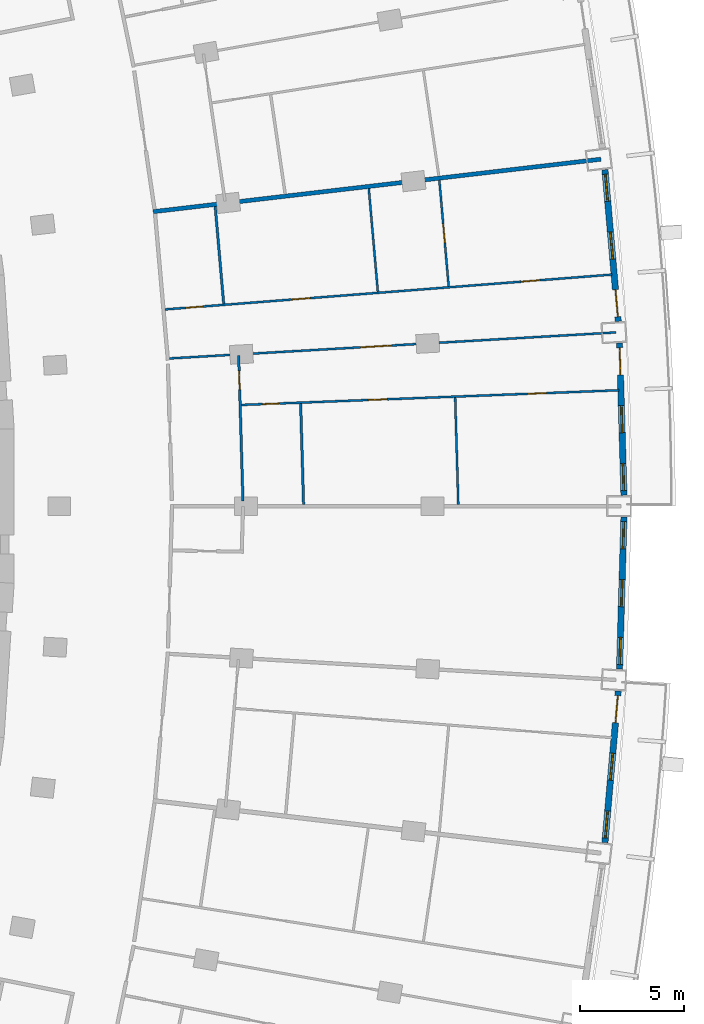
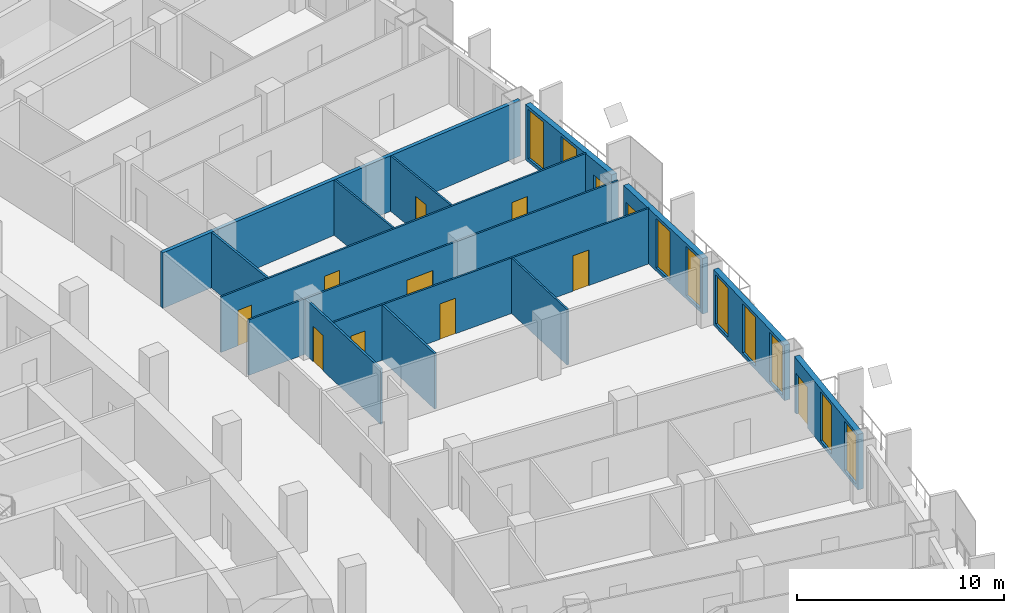
# One storey, part 18 of 25: 14 walls, 12 doors, 9 windows, 21 openings.
"""IFC4 building model written with IfcOpenShell, lengths in metres."""

from ifc_helpers import new_model, si_unit, direction, frame, frame_2d, origin, place, context, subcontext, project, spatial, rectangle, extrude, material, layer, layer_set, type_object, element, fill, save


model = new_model("IFC4")

# Units and contexts
model_context = context("Model", 3, precision=1e-05, world=origin(), true_north=direction((0.0, 1.0)))
body_context = subcontext(model_context, "Body", "Model", "MODEL_VIEW")
ifc_project = project(units=[si_unit("LENGTHUNIT", "METRE"), si_unit("AREAUNIT", "SQUARE_METRE"), si_unit("VOLUMEUNIT", "CUBIC_METRE"), si_unit("PLANEANGLEUNIT", "RADIAN"), si_unit("MASSUNIT", "GRAM", prefix="KILO")], contexts=[model_context])

# Site, building, storey
site_placement = place(None, origin())
site = spatial("IfcSite", under=ifc_project, at=site_placement, CompositionType="ELEMENT")
building_placement = place(site_placement, origin())
building = spatial("IfcBuilding", under=site, at=building_placement, Name="Alderwake Tower", CompositionType="ELEMENT")
storey_placement = place(building_placement, frame((0.0, 0.0, 60.800048828125)))
storey = spatial("IfcBuildingStorey", under=building, at=storey_placement, Name="L14", CompositionType="ELEMENT", Elevation=60.800048828125)

# Wall, openings, door, windows
ifc_material_1 = material(Name="Precast concrete C50/60 spandrel panel", Category="concrete")
ifc_layer_1 = layer(ifc_material_1, 0.300048828125)
ifc_layer_set_1 = layer_set([ifc_layer_1], Name="External wall EW1 Precast concrete C50/60 spandrel")
wall_type_1 = type_object("IfcWallType", Name="External wall EW1 Precast concrete C50/60 spandrel", PredefinedType="SOLIDWALL", material=ifc_layer_set_1)
wall_1_placement = place(storey_placement, frame((61.9248046875, 44.89453125, 0.0), z_axis=(0.0, 0.0, 1.0), x_axis=(0.087361569519, 0.996176669156, 0.0)))
wall_1 = element("IfcWall", 1, at=wall_1_placement, inside=storey, type_object=wall_type_1, Name="External wall 15", PredefinedType="SOLIDWALL", context=body_context, shape_type="SweptSolid", body=[
    extrude(rectangle(XDim=7.28271484375, YDim=0.300048828125, at=frame_2d((3.641357421875, 0.0))), origin(), (0.0, 0.0, 1.0), 3.280029296875),
])
opening_1_placement = place(wall_1_placement, frame((0.218994140625, 0.0, 0.199951171875)))
opening_1 = element("IfcOpeningElement", 2, at=opening_1_placement, cuts=wall_1, Name="Opening W1", PredefinedType="OPENING", context=body_context, shape_type="SweptSolid", body=[
    extrude(rectangle(XDim=1.300048828125, YDim=2.89990234375, at=frame_2d((0.64990234375, 1.449951171875))), frame((0.0, 0.159912109375, 0.0), z_axis=(0.0, -1.0, 0.0), x_axis=(1.0, 0.0, 0.0)), (0.0, 0.0, 1.0), 0.320068359375),
])
opening_2_placement = place(wall_1_placement, frame((2.9912109375, 0.0, 0.199951171875)))
opening_2 = element("IfcOpeningElement", 3, at=opening_2_placement, cuts=wall_1, Name="Opening W1", PredefinedType="OPENING", context=body_context, shape_type="SweptSolid", body=[
    extrude(rectangle(XDim=1.300048828125, YDim=2.89990234375, at=frame_2d((0.64990234375, 1.449951171875))), frame((0.0, 0.159912109375, 0.0), z_axis=(0.0, -1.0, 0.0), x_axis=(1.0, 0.0, 0.0)), (0.0, 0.0, 1.0), 0.320068359375),
])
opening_3_placement = place(wall_1_placement, frame((5.763671875, 0.0, 0.0)))
opening_3 = element("IfcOpeningElement", 4, at=opening_3_placement, cuts=wall_1, Name="Opening D06", PredefinedType="OPENING", context=body_context, shape_type="SweptSolid", body=[
    extrude(rectangle(XDim=1.300048828125, YDim=2.39990234375, at=frame_2d((0.64990234375, 1.199951171875))), frame((0.0, 0.159912109375, 0.0), z_axis=(0.0, -1.0, 0.0), x_axis=(1.0, 0.0, 0.0)), (0.0, 0.0, 1.0), 0.320068359375),
])
ifc_material_2 = material(Name="Bronze tinted glass in aluminium frame", Category="aluminium")
door_type_1 = type_object("IfcDoorType", Name="Balcony door BD sliding", OperationType="SLIDING_TO_LEFT", PredefinedType="DOOR", material=ifc_material_2)
door_1_placement = place(opening_3_placement, origin())
door_1 = element("IfcDoor", 5, at=door_1_placement, inside=storey, type_object=door_type_1, Name="Door D06", OperationType="SLIDING_TO_LEFT", OverallHeight=2.39990234375, OverallWidth=1.300048828125, PredefinedType="DOOR", context=body_context, shape_type="SweptSolid", body=[
    extrude(rectangle(XDim=1.300048828125, YDim=2.39990234375, at=frame_2d((0.64990234375, 1.199951171875))), frame((0.0, 0.02490234375, 0.0), z_axis=(0.0, -1.0, 0.0), x_axis=(1.0, 0.0, 0.0)), (0.0, 0.0, 1.0), 0.050048828125),
])
fill(opening_3, door_1)
ifc_material_3 = material(Name="Bronze tinted glass in aluminium frame", Category="aluminium")
window_type = type_object("IfcWindowType", Name="Window W1 tall fixed and vent", PartitioningType="DOUBLE_PANEL_VERTICAL", PredefinedType="WINDOW", material=ifc_material_3)
window_1_placement = place(opening_1_placement, origin())
window_1 = element("IfcWindow", 6, at=window_1_placement, inside=storey, type_object=window_type, Name="Window W1 tall fixed and vent", OverallHeight=2.89990234375, OverallWidth=1.300048828125, PartitioningType="DOUBLE_PANEL_VERTICAL", PredefinedType="WINDOW", context=body_context, shape_type="SweptSolid", body=[
    extrude(rectangle(XDim=1.300048828125, YDim=2.89990234375, at=frame_2d((0.64990234375, 1.449951171875))), frame((0.0, 0.030029296875, 0.0), z_axis=(0.0, -1.0, 0.0), x_axis=(1.0, 0.0, 0.0)), (0.0, 0.0, 1.0), 0.06005859375),
])
fill(opening_1, window_1)
window_2_placement = place(opening_2_placement, origin())
window_2 = element("IfcWindow", 7, at=window_2_placement, inside=storey, type_object=window_type, Name="Window W1 tall fixed and vent", OverallHeight=2.89990234375, OverallWidth=1.300048828125, PartitioningType="DOUBLE_PANEL_VERTICAL", PredefinedType="WINDOW", context=body_context, shape_type="SweptSolid", body=[
    extrude(rectangle(XDim=1.300048828125, YDim=2.89990234375, at=frame_2d((0.64990234375, 1.449951171875))), frame((0.0, 0.030029296875, 0.0), z_axis=(0.0, -1.0, 0.0), x_axis=(1.0, 0.0, 0.0)), (0.0, 0.0, 1.0), 0.06005859375),
])
fill(opening_2, window_2)

# Wall, openings, windows
wall_2_placement = place(storey_placement, frame((62.622314453125, 53.1962890625, 0.0), z_axis=(0.0, 0.0, 1.0), x_axis=(0.029166550581, 0.999574565666, 0.0)))
wall_2 = element("IfcWall", 8, at=wall_2_placement, inside=storey, type_object=wall_type_1, Name="External wall 16", PredefinedType="SOLIDWALL", context=body_context, shape_type="SweptSolid", body=[
    extrude(rectangle(XDim=7.282470703125, YDim=0.300048828125, at=frame_2d((3.64111328125, 0.0))), origin(), (0.0, 0.0, 1.0), 3.280029296875),
])
opening_4_placement = place(wall_2_placement, frame((0.218994140625, 0.0, 0.199951171875)))
opening_4 = element("IfcOpeningElement", 9, at=opening_4_placement, cuts=wall_2, Name="Opening W1", PredefinedType="OPENING", context=body_context, shape_type="SweptSolid", body=[
    extrude(rectangle(XDim=1.300048828125, YDim=2.89990234375, at=frame_2d((0.64990234375, 1.449951171875))), frame((0.0, 0.159912109375, 0.0), z_axis=(0.0, -1.0, 0.0), x_axis=(1.0, 0.0, 0.0)), (0.0, 0.0, 1.0), 0.320068359375),
])
opening_5_placement = place(wall_2_placement, frame((2.9912109375, 0.0, 0.199951171875)))
opening_5 = element("IfcOpeningElement", 10, at=opening_5_placement, cuts=wall_2, Name="Opening W1", PredefinedType="OPENING", context=body_context, shape_type="SweptSolid", body=[
    extrude(rectangle(XDim=1.300048828125, YDim=2.89990234375, at=frame_2d((0.64990234375, 1.449951171875))), frame((0.0, 0.159912109375, 0.0), z_axis=(0.0, -1.0, 0.0), x_axis=(1.0, 0.0, 0.0)), (0.0, 0.0, 1.0), 0.320068359375),
])
opening_6_placement = place(wall_2_placement, frame((5.763671875, 0.0, 0.199951171875)))
opening_6 = element("IfcOpeningElement", 11, at=opening_6_placement, cuts=wall_2, Name="Opening W1", PredefinedType="OPENING", context=body_context, shape_type="SweptSolid", body=[
    extrude(rectangle(XDim=1.300048828125, YDim=2.89990234375, at=frame_2d((0.64990234375, 1.449951171875))), frame((0.0, 0.159912109375, 0.0), z_axis=(0.0, -1.0, 0.0), x_axis=(1.0, 0.0, 0.0)), (0.0, 0.0, 1.0), 0.320068359375),
])
window_3_placement = place(opening_4_placement, origin())
window_3 = element("IfcWindow", 12, at=window_3_placement, inside=storey, type_object=window_type, Name="Window W1 tall fixed and vent", OverallHeight=2.89990234375, OverallWidth=1.300048828125, PartitioningType="DOUBLE_PANEL_VERTICAL", PredefinedType="WINDOW", context=body_context, shape_type="SweptSolid", body=[
    extrude(rectangle(XDim=1.300048828125, YDim=2.89990234375, at=frame_2d((0.64990234375, 1.449951171875))), frame((0.0, 0.030029296875, 0.0), z_axis=(0.0, -1.0, 0.0), x_axis=(1.0, 0.0, 0.0)), (0.0, 0.0, 1.0), 0.06005859375),
])
fill(opening_4, window_3)
window_4_placement = place(opening_5_placement, origin())
window_4 = element("IfcWindow", 13, at=window_4_placement, inside=storey, type_object=window_type, Name="Window W1 tall fixed and vent", OverallHeight=2.89990234375, OverallWidth=1.300048828125, PartitioningType="DOUBLE_PANEL_VERTICAL", PredefinedType="WINDOW", context=body_context, shape_type="SweptSolid", body=[
    extrude(rectangle(XDim=1.300048828125, YDim=2.89990234375, at=frame_2d((0.64990234375, 1.449951171875))), frame((0.0, 0.030029296875, 0.0), z_axis=(0.0, -1.0, 0.0), x_axis=(1.0, 0.0, 0.0)), (0.0, 0.0, 1.0), 0.06005859375),
])
fill(opening_5, window_4)
window_5_placement = place(opening_6_placement, origin())
window_5 = element("IfcWindow", 14, at=window_5_placement, inside=storey, type_object=window_type, Name="Window W1 tall fixed and vent", OverallHeight=2.89990234375, OverallWidth=1.300048828125, PartitioningType="DOUBLE_PANEL_VERTICAL", PredefinedType="WINDOW", context=body_context, shape_type="SweptSolid", body=[
    extrude(rectangle(XDim=1.300048828125, YDim=2.89990234375, at=frame_2d((0.64990234375, 1.449951171875))), frame((0.0, 0.030029296875, 0.0), z_axis=(0.0, -1.0, 0.0), x_axis=(1.0, 0.0, 0.0)), (0.0, 0.0, 1.0), 0.06005859375),
])
fill(opening_6, window_5)

# Wall, openings, door, windows
wall_3_placement = place(storey_placement, frame((62.834716796875, 61.5244140625, 0.0), z_axis=(0.0, 0.0, 1.0), x_axis=(-0.029166550581, 0.999574565666, 0.0)))
wall_3 = element("IfcWall", 15, at=wall_3_placement, inside=storey, type_object=wall_type_1, Name="External wall 17", PredefinedType="SOLIDWALL", context=body_context, shape_type="SweptSolid", body=[
    extrude(rectangle(XDim=7.282470703125, YDim=0.300048828125, at=frame_2d((3.64111328125, 0.0))), origin(), (0.0, 0.0, 1.0), 3.280029296875),
])
opening_7_placement = place(wall_3_placement, frame((0.218994140625, 0.0, 0.199951171875)))
opening_7 = element("IfcOpeningElement", 16, at=opening_7_placement, cuts=wall_3, Name="Opening W1", PredefinedType="OPENING", context=body_context, shape_type="SweptSolid", body=[
    extrude(rectangle(XDim=1.300048828125, YDim=2.89990234375, at=frame_2d((0.64990234375, 1.449951171875))), frame((0.0, 0.159912109375, 0.0), z_axis=(0.0, -1.0, 0.0), x_axis=(1.0, 0.0, 0.0)), (0.0, 0.0, 1.0), 0.320068359375),
])
opening_8_placement = place(wall_3_placement, frame((2.9912109375, 0.0, 0.199951171875)))
opening_8 = element("IfcOpeningElement", 17, at=opening_8_placement, cuts=wall_3, Name="Opening W1", PredefinedType="OPENING", context=body_context, shape_type="SweptSolid", body=[
    extrude(rectangle(XDim=1.300048828125, YDim=2.89990234375, at=frame_2d((0.64990234375, 1.449951171875))), frame((0.0, 0.159912109375, 0.0), z_axis=(0.0, -1.0, 0.0), x_axis=(1.0, 0.0, 0.0)), (0.0, 0.0, 1.0), 0.320068359375),
])
opening_9_placement = place(wall_3_placement, frame((5.763671875, 0.0, 0.0)))
opening_9 = element("IfcOpeningElement", 18, at=opening_9_placement, cuts=wall_3, Name="Opening D07", PredefinedType="OPENING", context=body_context, shape_type="SweptSolid", body=[
    extrude(rectangle(XDim=1.300048828125, YDim=2.39990234375, at=frame_2d((0.64990234375, 1.199951171875))), frame((0.0, 0.159912109375, 0.0), z_axis=(0.0, -1.0, 0.0), x_axis=(1.0, 0.0, 0.0)), (0.0, 0.0, 1.0), 0.320068359375),
])
door_2_placement = place(opening_9_placement, origin())
door_2 = element("IfcDoor", 19, at=door_2_placement, inside=storey, type_object=door_type_1, Name="Door D07", OperationType="SLIDING_TO_LEFT", OverallHeight=2.39990234375, OverallWidth=1.300048828125, PredefinedType="DOOR", context=body_context, shape_type="SweptSolid", body=[
    extrude(rectangle(XDim=1.300048828125, YDim=2.39990234375, at=frame_2d((0.64990234375, 1.199951171875))), frame((0.0, 0.02490234375, 0.0), z_axis=(0.0, -1.0, 0.0), x_axis=(1.0, 0.0, 0.0)), (0.0, 0.0, 1.0), 0.050048828125),
])
fill(opening_9, door_2)
window_6_placement = place(opening_7_placement, origin())
window_6 = element("IfcWindow", 20, at=window_6_placement, inside=storey, type_object=window_type, Name="Window W1 tall fixed and vent", OverallHeight=2.89990234375, OverallWidth=1.300048828125, PartitioningType="DOUBLE_PANEL_VERTICAL", PredefinedType="WINDOW", context=body_context, shape_type="SweptSolid", body=[
    extrude(rectangle(XDim=1.300048828125, YDim=2.89990234375, at=frame_2d((0.64990234375, 1.449951171875))), frame((0.0, 0.030029296875, 0.0), z_axis=(0.0, -1.0, 0.0), x_axis=(1.0, 0.0, 0.0)), (0.0, 0.0, 1.0), 0.06005859375),
])
fill(opening_7, window_6)
window_7_placement = place(opening_8_placement, origin())
window_7 = element("IfcWindow", 21, at=window_7_placement, inside=storey, type_object=window_type, Name="Window W1 tall fixed and vent", OverallHeight=2.89990234375, OverallWidth=1.300048828125, PartitioningType="DOUBLE_PANEL_VERTICAL", PredefinedType="WINDOW", context=body_context, shape_type="SweptSolid", body=[
    extrude(rectangle(XDim=1.300048828125, YDim=2.89990234375, at=frame_2d((0.64990234375, 1.449951171875))), frame((0.0, 0.030029296875, 0.0), z_axis=(0.0, -1.0, 0.0), x_axis=(1.0, 0.0, 0.0)), (0.0, 0.0, 1.0), 0.06005859375),
])
fill(opening_8, window_7)

wall_4_placement = place(storey_placement, frame((62.56103515625, 69.8505859375, 0.0), z_axis=(0.0, 0.0, 1.0), x_axis=(-0.087361569519, 0.996176669156, 0.0)))
wall_4 = element("IfcWall", 22, at=wall_4_placement, inside=storey, type_object=wall_type_1, Name="External wall 18", PredefinedType="SOLIDWALL", context=body_context, shape_type="SweptSolid", body=[
    extrude(rectangle(XDim=7.28271484375, YDim=0.300048828125, at=frame_2d((3.641357421875, 0.0))), origin(), (0.0, 0.0, 1.0), 3.280029296875),
])
opening_10_placement = place(wall_4_placement, frame((0.218994140625, 0.0, 0.0)))
opening_10 = element("IfcOpeningElement", 23, at=opening_10_placement, cuts=wall_4, Name="Opening D08", PredefinedType="OPENING", context=body_context, shape_type="SweptSolid", body=[
    extrude(rectangle(XDim=1.300048828125, YDim=2.39990234375, at=frame_2d((0.64990234375, 1.199951171875))), frame((0.0, 0.159912109375, 0.0), z_axis=(0.0, -1.0, 0.0), x_axis=(1.0, 0.0, 0.0)), (0.0, 0.0, 1.0), 0.320068359375),
])
opening_11_placement = place(wall_4_placement, frame((2.9912109375, 0.0, 0.199951171875)))
opening_11 = element("IfcOpeningElement", 24, at=opening_11_placement, cuts=wall_4, Name="Opening W1", PredefinedType="OPENING", context=body_context, shape_type="SweptSolid", body=[
    extrude(rectangle(XDim=1.300048828125, YDim=2.89990234375, at=frame_2d((0.64990234375, 1.449951171875))), frame((0.0, 0.159912109375, 0.0), z_axis=(0.0, -1.0, 0.0), x_axis=(1.0, 0.0, 0.0)), (0.0, 0.0, 1.0), 0.320068359375),
])
opening_12_placement = place(wall_4_placement, frame((5.763671875, 0.0, 0.199951171875)))
opening_12 = element("IfcOpeningElement", 25, at=opening_12_placement, cuts=wall_4, Name="Opening W1", PredefinedType="OPENING", context=body_context, shape_type="SweptSolid", body=[
    extrude(rectangle(XDim=1.300048828125, YDim=2.89990234375, at=frame_2d((0.64990234375, 1.449951171875))), frame((0.0, 0.159912109375, 0.0), z_axis=(0.0, -1.0, 0.0), x_axis=(1.0, 0.0, 0.0)), (0.0, 0.0, 1.0), 0.320068359375),
])
door_3_placement = place(opening_10_placement, origin())
door_3 = element("IfcDoor", 26, at=door_3_placement, inside=storey, type_object=door_type_1, Name="Door D08", OperationType="SLIDING_TO_LEFT", OverallHeight=2.39990234375, OverallWidth=1.300048828125, PredefinedType="DOOR", context=body_context, shape_type="SweptSolid", body=[
    extrude(rectangle(XDim=1.300048828125, YDim=2.39990234375, at=frame_2d((0.64990234375, 1.199951171875))), frame((0.0, 0.02490234375, 0.0), z_axis=(0.0, -1.0, 0.0), x_axis=(1.0, 0.0, 0.0)), (0.0, 0.0, 1.0), 0.050048828125),
])
fill(opening_10, door_3)
window_8_placement = place(opening_11_placement, origin())
window_8 = element("IfcWindow", 27, at=window_8_placement, inside=storey, type_object=window_type, Name="Window W1 tall fixed and vent", OverallHeight=2.89990234375, OverallWidth=1.300048828125, PartitioningType="DOUBLE_PANEL_VERTICAL", PredefinedType="WINDOW", context=body_context, shape_type="SweptSolid", body=[
    extrude(rectangle(XDim=1.300048828125, YDim=2.89990234375, at=frame_2d((0.64990234375, 1.449951171875))), frame((0.0, 0.030029296875, 0.0), z_axis=(0.0, -1.0, 0.0), x_axis=(1.0, 0.0, 0.0)), (0.0, 0.0, 1.0), 0.06005859375),
])
fill(opening_11, window_8)
window_9_placement = place(opening_12_placement, origin())
window_9 = element("IfcWindow", 28, at=window_9_placement, inside=storey, type_object=window_type, Name="Window W1 tall fixed and vent", OverallHeight=2.89990234375, OverallWidth=1.300048828125, PartitioningType="DOUBLE_PANEL_VERTICAL", PredefinedType="WINDOW", context=body_context, shape_type="SweptSolid", body=[
    extrude(rectangle(XDim=1.300048828125, YDim=2.89990234375, at=frame_2d((0.64990234375, 1.449951171875))), frame((0.0, 0.030029296875, 0.0), z_axis=(0.0, -1.0, 0.0), x_axis=(1.0, 0.0, 0.0)), (0.0, 0.0, 1.0), 0.06005859375),
])
fill(opening_12, window_9)

# Wall
ifc_material_4 = material(Name="Dense block masonry wall", Category="masonry")
ifc_layer_2 = layer(ifc_material_4, 0.199951171875)
ifc_layer_set_2 = layer_set([ifc_layer_2], Name="Party wall 200")
wall_type_2 = type_object("IfcWallType", Name="Party wall 200", PredefinedType="SOLIDWALL", material=ifc_layer_set_2)
wall_5_placement = place(storey_placement, frame((40.297607421875, 75.0986328125, 0.0), z_axis=(0.0, 0.0, 1.0), x_axis=(0.993204785453, 0.116379784123, 0.0)))
element("IfcWall", 29, at=wall_5_placement, inside=storey, type_object=wall_type_2, Name="WL/L14/W07", PredefinedType="SOLIDWALL", context=body_context, shape_type="SweptSolid", body=[
    extrude(rectangle(XDim=21.580078125, YDim=0.199951171875, at=frame_2d((10.7900390625, 0.0))), origin(), (0.0, 0.0, 1.0), 3.280029296875),
])

# Wall, openings, doors
ifc_material_5 = material(Name="Gypsum board on metal studs")
ifc_layer_3 = layer(ifc_material_5, 0.10009765625)
ifc_layer_set_3 = layer_set([ifc_layer_3], Name="Unit partition 100")
wall_type_3 = type_object("IfcWallType", Name="Unit partition 100", PredefinedType="PARTITIONING", material=ifc_layer_set_3)
wall_6_placement = place(storey_placement, frame((40.867919921875, 70.419189453125, 0.0), z_axis=(0.0, 0.0, 1.0), x_axis=(0.996976285656, 0.07770640797, 0.0)))
wall_6 = element("IfcWall", 30, at=wall_6_placement, inside=storey, type_object=wall_type_3, Name="WL/L14/W70", PredefinedType="PARTITIONING", context=body_context, shape_type="SweptSolid", body=[
    extrude(rectangle(XDim=21.4619140625, YDim=0.10009765625, at=frame_2d((10.73095703125, 0.0))), origin(), (0.0, 0.0, 1.0), 3.280029296875),
])
opening_13_placement = place(wall_6_placement, frame((6.0703125, 0.0, 0.0)))
opening_13 = element("IfcOpeningElement", 31, at=opening_13_placement, cuts=wall_6, Name="Opening R03-U07.6", PredefinedType="OPENING", context=body_context, shape_type="SweptSolid", body=[
    extrude(rectangle(XDim=0.89990234375, YDim=2.10009765625, at=frame_2d((0.449951171875, 1.050048828125))), frame((0.0, 0.06005859375, 0.0), z_axis=(0.0, -1.0, 0.0), x_axis=(1.0, 0.0, 0.0)), (0.0, 0.0, 1.0), 0.1201171875),
])
opening_14_placement = place(wall_6_placement, frame((1.009521484375, 0.0, 0.0)))
opening_14 = element("IfcOpeningElement", 32, at=opening_14_placement, cuts=wall_6, Name="Opening R03-U07.7", PredefinedType="OPENING", context=body_context, shape_type="SweptSolid", body=[
    extrude(rectangle(XDim=0.800048828125, YDim=2.10009765625, at=frame_2d((0.39990234375, 1.050048828125))), frame((0.0, 0.06005859375, 0.0), z_axis=(0.0, -1.0, 0.0), x_axis=(1.0, 0.0, 0.0)), (0.0, 0.0, 1.0), 0.1201171875),
])
opening_15_placement = place(wall_6_placement, frame((17.0908203125, 0.0, 0.0)))
opening_15 = element("IfcOpeningElement", 33, at=opening_15_placement, cuts=wall_6, Name="Opening R03-U07.8", PredefinedType="OPENING", context=body_context, shape_type="SweptSolid", body=[
    extrude(rectangle(XDim=0.89990234375, YDim=2.10009765625, at=frame_2d((0.449951171875, 1.050048828125))), frame((0.0, 0.06005859375, 0.0), z_axis=(0.0, -1.0, 0.0), x_axis=(1.0, 0.0, 0.0)), (0.0, 0.0, 1.0), 0.1201171875),
])
ifc_material_6 = material(Name="Painted timber leaf", Category="wood")
door_type_2 = type_object("IfcDoorType", Name="Bathroom door 800", OperationType="SINGLE_SWING_LEFT", PredefinedType="DOOR", material=ifc_material_6)
door_4_placement = place(opening_14_placement, origin())
door_4 = element("IfcDoor", 34, at=door_4_placement, inside=storey, type_object=door_type_2, Name="DR/L14/U07.7", OperationType="SINGLE_SWING_LEFT", OverallHeight=2.10009765625, OverallWidth=0.800048828125, PredefinedType="DOOR", context=body_context, shape_type="SweptSolid", body=[
    extrude(rectangle(XDim=0.800048828125, YDim=2.10009765625, at=frame_2d((0.39990234375, 1.050048828125))), frame((0.0, 0.02490234375, 0.0), z_axis=(0.0, -1.0, 0.0), x_axis=(1.0, 0.0, 0.0)), (0.0, 0.0, 1.0), 0.050048828125),
])
fill(opening_14, door_4)
ifc_material_7 = material(Name="Painted timber leaf", Category="wood")
door_type_3 = type_object("IfcDoorType", Name="Room door 900", OperationType="SINGLE_SWING_LEFT", PredefinedType="DOOR", material=ifc_material_7)
door_5_placement = place(opening_13_placement, origin())
door_5 = element("IfcDoor", 35, at=door_5_placement, inside=storey, type_object=door_type_3, Name="DR/L14/U07.6", OperationType="SINGLE_SWING_LEFT", OverallHeight=2.10009765625, OverallWidth=0.89990234375, PredefinedType="DOOR", context=body_context, shape_type="SweptSolid", body=[
    extrude(rectangle(XDim=0.89990234375, YDim=2.10009765625, at=frame_2d((0.449951171875, 1.050048828125))), frame((0.0, 0.02490234375, 0.0), z_axis=(0.0, -1.0, 0.0), x_axis=(1.0, 0.0, 0.0)), (0.0, 0.0, 1.0), 0.050048828125),
])
fill(opening_13, door_5)
door_6_placement = place(opening_15_placement, origin())
door_6 = element("IfcDoor", 36, at=door_6_placement, inside=storey, type_object=door_type_3, Name="DR/L14/U07.8", OperationType="SINGLE_SWING_LEFT", OverallHeight=2.10009765625, OverallWidth=0.89990234375, PredefinedType="DOOR", context=body_context, shape_type="SweptSolid", body=[
    extrude(rectangle(XDim=0.89990234375, YDim=2.10009765625, at=frame_2d((0.449951171875, 1.050048828125))), frame((0.0, 0.02490234375, 0.0), z_axis=(0.0, -1.0, 0.0), x_axis=(1.0, 0.0, 0.0)), (0.0, 0.0, 1.0), 0.050048828125),
])
fill(opening_15, door_6)

# Wall, opening, door
wall_7_placement = place(storey_placement, frame((41.074951171875, 68.07177734375, 0.0), z_axis=(0.0, 0.0, 1.0), x_axis=(0.99830551882, 0.058190128836, 0.0)))
wall_7 = element("IfcWall", 37, at=wall_7_placement, inside=storey, type_object=wall_type_3, Name="WL/L14/W71", PredefinedType="PARTITIONING", context=body_context, shape_type="SweptSolid", body=[
    extrude(rectangle(XDim=21.41845703125, YDim=0.10009765625, at=frame_2d((10.709228515625, 0.0))), origin(), (0.0, 0.0, 1.0), 3.280029296875),
])
opening_16_placement = place(wall_7_placement, frame((9.164306640625, 0.0, 0.0)))
opening_16 = element("IfcOpeningElement", 38, at=opening_16_placement, cuts=wall_7, Name="Opening R03-U07.10", PredefinedType="OPENING", context=body_context, shape_type="SweptSolid", body=[
    extrude(rectangle(XDim=1.5, YDim=2.10009765625, at=frame_2d((0.75, 1.050048828125))), frame((0.0, 0.06005859375, 0.0), z_axis=(0.0, -1.0, 0.0), x_axis=(1.0, 0.0, 0.0)), (0.0, 0.0, 1.0), 0.1201171875),
])
ifc_material_8 = material(Name="Painted timber leaves", Category="wood")
door_type_4 = type_object("IfcDoorType", Name="Double leaf door 1500", OperationType="DOUBLE_DOOR_SINGLE_SWING", PredefinedType="DOOR", material=ifc_material_8)
door_7_placement = place(opening_16_placement, origin())
door_7 = element("IfcDoor", 39, at=door_7_placement, inside=storey, type_object=door_type_4, Name="DR/L14/U07.10", OperationType="DOUBLE_DOOR_SINGLE_SWING", OverallHeight=2.10009765625, OverallWidth=1.5, PredefinedType="DOOR", context=body_context, shape_type="SweptSolid", body=[
    extrude(rectangle(XDim=1.5, YDim=2.10009765625, at=frame_2d((0.75, 1.050048828125))), frame((0.0, 0.02490234375, 0.0), z_axis=(0.0, -1.0, 0.0), x_axis=(1.0, 0.0, 0.0)), (0.0, 0.0, 1.0), 0.050048828125),
])
fill(opening_16, door_7)

# Wall, openings, doors
wall_8_placement = place(storey_placement, frame((62.589111328125, 66.549072265625, 0.0), z_axis=(0.0, 0.0, 1.0), x_axis=(-0.999244267226, -0.038870225309, 0.0)))
wall_8 = element("IfcWall", 40, at=wall_8_placement, inside=storey, type_object=wall_type_3, Name="WL/L14/W74", PredefinedType="PARTITIONING", context=body_context, shape_type="SweptSolid", body=[
    extrude(rectangle(XDim=18.082763671875, YDim=0.10009765625, at=frame_2d((9.04150390625, 0.0))), origin(), (0.0, 0.0, 1.0), 3.280029296875),
])
opening_17_placement = place(wall_8_placement, frame((11.09375, 0.0, 0.0)))
opening_17 = element("IfcOpeningElement", 41, at=opening_17_placement, cuts=wall_8, Name="Opening R03-U07.1", PredefinedType="OPENING", context=body_context, shape_type="SweptSolid", body=[
    extrude(rectangle(XDim=0.89990234375, YDim=2.10009765625, at=frame_2d((0.449951171875, 1.050048828125))), frame((0.0, 0.06005859375, 0.0), z_axis=(0.0, -1.0, 0.0), x_axis=(1.0, 0.0, 0.0)), (0.0, 0.0, 1.0), 0.1201171875),
])
opening_18_placement = place(wall_8_placement, frame((16.263916015625, 0.0, 0.0)))
opening_18 = element("IfcOpeningElement", 42, at=opening_18_placement, cuts=wall_8, Name="Opening R03-U07.4", PredefinedType="OPENING", context=body_context, shape_type="SweptSolid", body=[
    extrude(rectangle(XDim=0.800048828125, YDim=2.10009765625, at=frame_2d((0.39990234375, 1.050048828125))), frame((0.0, 0.06005859375, 0.0), z_axis=(0.0, -1.0, 0.0), x_axis=(1.0, 0.0, 0.0)), (0.0, 0.0, 1.0), 0.1201171875),
])
opening_19_placement = place(wall_8_placement, frame((3.471435546875, 0.0, 0.0)))
opening_19 = element("IfcOpeningElement", 43, at=opening_19_placement, cuts=wall_8, Name="Opening R03-U07.5", PredefinedType="OPENING", context=body_context, shape_type="SweptSolid", body=[
    extrude(rectangle(XDim=0.89990234375, YDim=2.10009765625, at=frame_2d((0.449951171875, 1.050048828125))), frame((0.0, 0.06005859375, 0.0), z_axis=(0.0, -1.0, 0.0), x_axis=(1.0, 0.0, 0.0)), (0.0, 0.0, 1.0), 0.1201171875),
])
door_8_placement = place(opening_18_placement, origin())
door_8 = element("IfcDoor", 44, at=door_8_placement, inside=storey, type_object=door_type_2, Name="DR/L14/U07.4", OperationType="SINGLE_SWING_LEFT", OverallHeight=2.10009765625, OverallWidth=0.800048828125, PredefinedType="DOOR", context=body_context, shape_type="SweptSolid", body=[
    extrude(rectangle(XDim=0.800048828125, YDim=2.10009765625, at=frame_2d((0.39990234375, 1.050048828125))), frame((0.0, 0.02490234375, 0.0), z_axis=(0.0, -1.0, 0.0), x_axis=(1.0, 0.0, 0.0)), (0.0, 0.0, 1.0), 0.050048828125),
])
fill(opening_18, door_8)
door_9_placement = place(opening_17_placement, origin())
door_9 = element("IfcDoor", 45, at=door_9_placement, inside=storey, type_object=door_type_3, Name="DR/L14/U07.1", OperationType="SINGLE_SWING_LEFT", OverallHeight=2.10009765625, OverallWidth=0.89990234375, PredefinedType="DOOR", context=body_context, shape_type="SweptSolid", body=[
    extrude(rectangle(XDim=0.89990234375, YDim=2.10009765625, at=frame_2d((0.449951171875, 1.050048828125))), frame((0.0, 0.02490234375, 0.0), z_axis=(0.0, -1.0, 0.0), x_axis=(1.0, 0.0, 0.0)), (0.0, 0.0, 1.0), 0.050048828125),
])
fill(opening_17, door_9)
door_10_placement = place(opening_19_placement, origin())
door_10 = element("IfcDoor", 46, at=door_10_placement, inside=storey, type_object=door_type_3, Name="DR/L14/U07.5", OperationType="SINGLE_SWING_LEFT", OverallHeight=2.10009765625, OverallWidth=0.89990234375, PredefinedType="DOOR", context=body_context, shape_type="SweptSolid", body=[
    extrude(rectangle(XDim=0.89990234375, YDim=2.10009765625, at=frame_2d((0.449951171875, 1.050048828125))), frame((0.0, 0.02490234375, 0.0), z_axis=(0.0, -1.0, 0.0), x_axis=(1.0, 0.0, 0.0)), (0.0, 0.0, 1.0), 0.050048828125),
])
fill(opening_19, door_10)

# Wall
wall_9_placement = place(storey_placement, frame((51.052490234375, 71.263916015625, 0.0), z_axis=(0.0, 0.0, 1.0), x_axis=(-0.087408582497, 0.996172545148, 0.0)))
element("IfcWall", 47, at=wall_9_placement, inside=storey, type_object=wall_type_3, Name="WL/L14/W81", PredefinedType="PARTITIONING", context=body_context, shape_type="SweptSolid", body=[
    extrude(rectangle(XDim=4.96337890625, YDim=0.10009765625, at=frame_2d((2.481689453125, 0.0))), origin(), (0.0, 0.0, 1.0), 3.280029296875),
])

# Wall, opening, door
wall_10_placement = place(storey_placement, frame((54.442626953125, 71.52783203125, 0.0), z_axis=(0.0, 0.0, 1.0), x_axis=(-0.087481335353, 0.996166158813, 0.0)))
wall_10 = element("IfcWall", 48, at=wall_10_placement, inside=storey, type_object=wall_type_3, Name="WL/L14/W88", PredefinedType="PARTITIONING", context=body_context, shape_type="SweptSolid", body=[
    extrude(rectangle(XDim=5.095947265625, YDim=0.10009765625, at=frame_2d((2.5478515625, 0.0))), origin(), (0.0, 0.0, 1.0), 3.280029296875),
])
opening_20_placement = place(wall_10_placement, frame((2.097900390625, 0.0, 0.0)))
opening_20 = element("IfcOpeningElement", 49, at=opening_20_placement, cuts=wall_10, Name="Opening R03-U07.9", PredefinedType="OPENING", context=body_context, shape_type="SweptSolid", body=[
    extrude(rectangle(XDim=0.89990234375, YDim=2.10009765625, at=frame_2d((0.449951171875, 1.050048828125))), frame((0.0, 0.06005859375, 0.0), z_axis=(0.0, -1.0, 0.0), x_axis=(1.0, 0.0, 0.0)), (0.0, 0.0, 1.0), 0.1201171875),
])
door_11_placement = place(opening_20_placement, origin())
door_11 = element("IfcDoor", 50, at=door_11_placement, inside=storey, type_object=door_type_3, Name="DR/L14/U07.9", OperationType="SINGLE_SWING_LEFT", OverallHeight=2.10009765625, OverallWidth=0.89990234375, PredefinedType="DOOR", context=body_context, shape_type="SweptSolid", body=[
    extrude(rectangle(XDim=0.89990234375, YDim=2.10009765625, at=frame_2d((0.449951171875, 1.050048828125))), frame((0.0, 0.02490234375, 0.0), z_axis=(0.0, -1.0, 0.0), x_axis=(1.0, 0.0, 0.0)), (0.0, 0.0, 1.0), 0.050048828125),
])
fill(opening_20, door_11)

# Walls
wall_11_placement = place(storey_placement, frame((54.90380859375, 61.0791015625, 0.0), z_axis=(0.0, 0.0, 1.0), x_axis=(-0.02920413246, 0.999573468359, 0.0)))
element("IfcWall", 51, at=wall_11_placement, inside=storey, type_object=wall_type_3, Name="WL/L14/W89", PredefinedType="PARTITIONING", context=body_context, shape_type="SweptSolid", body=[
    extrude(rectangle(XDim=5.1162109375, YDim=0.10009765625, at=frame_2d((2.55810546875, 0.0))), origin(), (0.0, 0.0, 1.0), 3.280029296875),
])
ifc_material_9 = material(Name="Moisture resistant gypsum board on metal studs")
ifc_layer_4 = layer(ifc_material_9, 0.1201171875)
ifc_layer_set_4 = layer_set([ifc_layer_4], Name="Wet room partition 120")
wall_type_4 = type_object("IfcWallType", Name="Wet room partition 120", PredefinedType="PARTITIONING", material=ifc_layer_set_4)
wall_12_placement = place(storey_placement, frame((43.672607421875, 70.687744140625, 0.0), z_axis=(0.0, 0.0, 1.0), x_axis=(-0.087010256841, 0.996207415755, 0.0)))
element("IfcWall", 52, at=wall_12_placement, inside=storey, type_object=wall_type_4, Name="WL/L14/W56", PredefinedType="PARTITIONING", context=body_context, shape_type="SweptSolid", body=[
    extrude(rectangle(XDim=4.677490234375, YDim=0.1201171875, at=frame_2d((2.3388671875, 0.0))), origin(), (0.0, 0.0, 1.0), 3.280029296875),
])

# Wall, opening, door
wall_13_placement = place(storey_placement, frame((44.389404296875, 68.215087890625, 0.0), z_axis=(0.0, 0.0, 1.0), x_axis=(0.029320814955, -0.999570052478, 0.0)))
wall_13 = element("IfcWall", 53, at=wall_13_placement, inside=storey, type_object=wall_type_4, Name="WL/L14/W58", PredefinedType="PARTITIONING", context=body_context, shape_type="SweptSolid", body=[
    extrude(rectangle(XDim=6.96923828125, YDim=0.1201171875, at=frame_2d((3.484619140625, 0.0))), origin(), (0.0, 0.0, 1.0), 3.280029296875),
])
opening_21_placement = place(wall_13_placement, frame((0.736572265625, 0.0, 0.0)))
opening_21 = element("IfcOpeningElement", 54, at=opening_21_placement, cuts=wall_13, Name="Opening R03-U07.3", PredefinedType="OPENING", context=body_context, shape_type="SweptSolid", body=[
    extrude(rectangle(XDim=0.89990234375, YDim=2.10009765625, at=frame_2d((0.449951171875, 1.050048828125))), frame((0.0, 0.070068359375, 0.0), z_axis=(0.0, -1.0, 0.0), x_axis=(1.0, 0.0, 0.0)), (0.0, 0.0, 1.0), 0.14013671875),
])
door_12_placement = place(opening_21_placement, origin())
door_12 = element("IfcDoor", 55, at=door_12_placement, inside=storey, type_object=door_type_3, Name="DR/L14/U07.3", OperationType="SINGLE_SWING_LEFT", OverallHeight=2.10009765625, OverallWidth=0.89990234375, PredefinedType="DOOR", context=body_context, shape_type="SweptSolid", body=[
    extrude(rectangle(XDim=0.89990234375, YDim=2.10009765625, at=frame_2d((0.449951171875, 1.050048828125))), frame((0.0, 0.02490234375, 0.0), z_axis=(0.0, -1.0, 0.0), x_axis=(1.0, 0.0, 0.0)), (0.0, 0.0, 1.0), 0.050048828125),
])
fill(opening_21, door_12)

# Wall
wall_14_placement = place(storey_placement, frame((47.49658203125, 61.0791015625, 0.0), z_axis=(0.0, 0.0, 1.0), x_axis=(-0.029026061013, 0.999578655125, 0.0)))
element("IfcWall", 56, at=wall_14_placement, inside=storey, type_object=wall_type_4, Name="WL/L14/W63", PredefinedType="PARTITIONING", context=body_context, shape_type="SweptSolid", body=[
    extrude(rectangle(XDim=4.827880859375, YDim=0.1201171875, at=frame_2d((2.4140625, 0.0))), origin(), (0.0, 0.0, 1.0), 3.280029296875),
])

save(model, "model.ifc")
